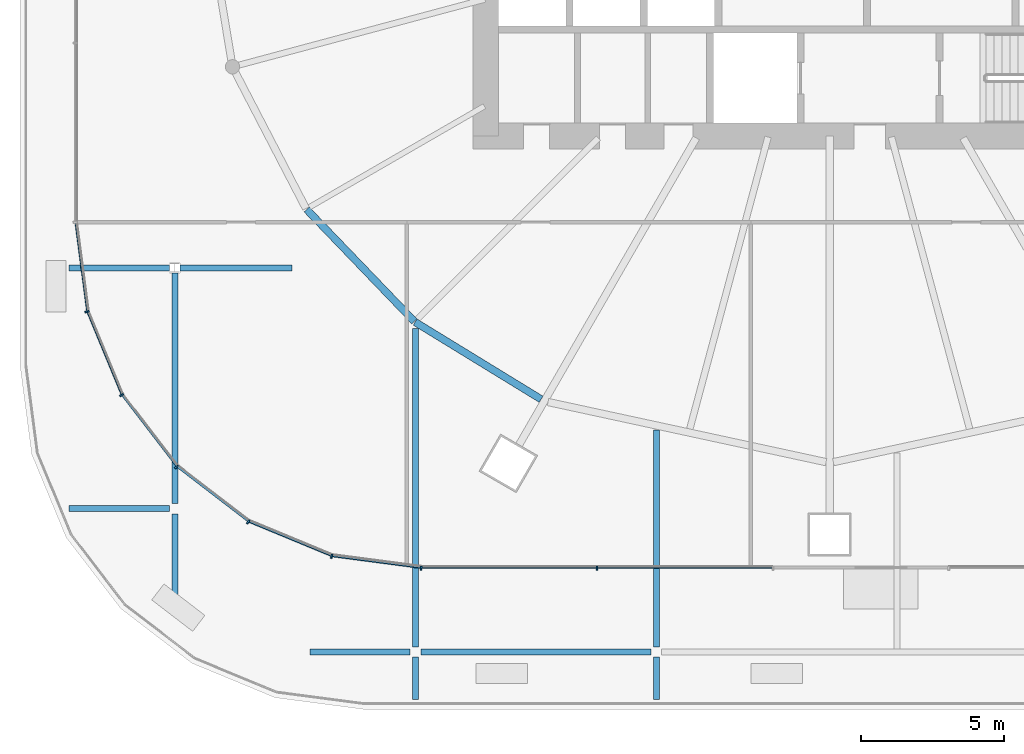
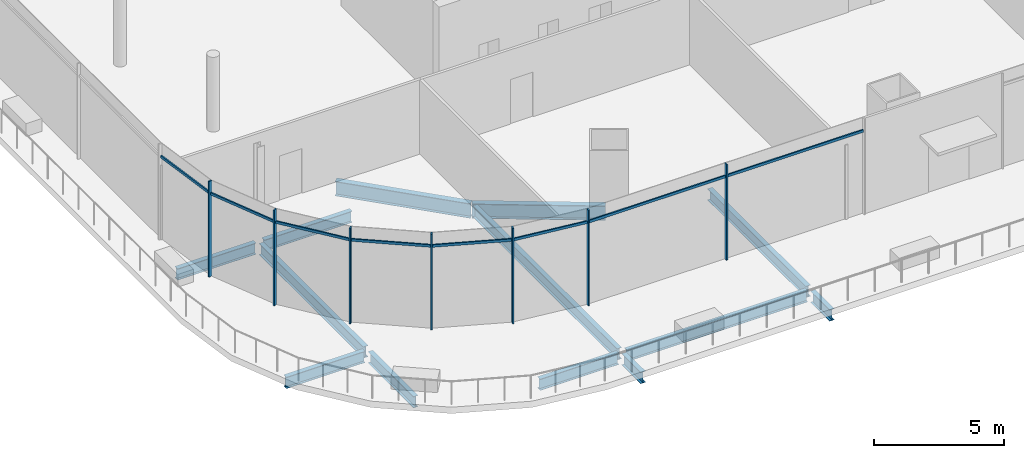
# One storey, part 9 of 49: 15 members, 13 beams, 1 element without a shape of its own.
"""IFC4 building model written with IfcOpenShell, lengths in metres."""

import ifcopenshell
import ifcopenshell.guid

model = None  # the IFC model being written
_history = None  # IfcOwnerHistory: only IFC2X3 demands one
_inside = {}  # id of a spatial element -> (the spatial element, [elements in it])
_under = {}  # id of a project, library or spatial element -> (it, [spatial elements below it])
_declared = {}  # id of a project -> (the project, [libraries it declares])
_typed = {}  # id of a type object -> (the type object, [elements of that type])
_made_of = {}  # id of a material, layer set ... -> (it, [elements and type objects made of it])


def new_model(schema):
    """Start an empty IFC model of exactly this schema.

    Asked for "IFC4X3", IfcOpenShell would pick the latest addendum, in which some entities
    have other attributes; the version numbers below select the first issue.
    IFC2X3 requires an IfcOwnerHistory on every rooted entity: one is made here for all.
    """
    global model, _history
    if schema == "IFC4X3":
        model = ifcopenshell.file(schema_version=(4, 3, 0, 0))
    else:
        model = ifcopenshell.file(schema=schema)
    _inside.clear()
    _under.clear()
    _declared.clear()
    _typed.clear()
    _made_of.clear()
    _history = None
    if model.schema == "IFC2X3":
        org = make("IfcOrganization", Name="unknown")
        user = make(
            "IfcPersonAndOrganization",
            ThePerson=make("IfcPerson", FamilyName="unknown"),
            TheOrganization=org,
        )
        app = make(
            "IfcApplication",
            ApplicationDeveloper=org,
            Version="unknown",
            ApplicationFullName="unknown",
            ApplicationIdentifier="unknown",
        )
        _history = make(
            "IfcOwnerHistory",
            OwningUser=user,
            OwningApplication=app,
            ChangeAction="ADDED",
            CreationDate=0,
        )
    return model


def make(cls, **values):
    """One entity of the class cls with the attributes given. An attribute that is None is left unset."""
    return model.create_entity(
        cls, **{name: value for name, value in values.items() if value is not None}
    )


def rooted(cls, **values):
    """An entity with a GlobalId (a new one), such as an element, a storey or a relation."""
    return make(cls, GlobalId=ifcopenshell.guid.new(), OwnerHistory=_history, **values)


def si_unit(unit_type, name, prefix=None):
    """IfcSIUnit, for example si_unit("LENGTHUNIT", "METRE", prefix="MILLI")."""
    return make("IfcSIUnit", UnitType=unit_type, Prefix=prefix, Name=name)


def assignment(units):
    """IfcUnitAssignment: the units of a project."""
    return None if units is None else make("IfcUnitAssignment", Units=units)


def point(xyz):
    """IfcCartesianPoint."""
    return None if xyz is None else make("IfcCartesianPoint", Coordinates=xyz)


def direction(xyz):
    """IfcDirection."""
    return None if xyz is None else make("IfcDirection", DirectionRatios=xyz)


def frame(location, z_axis=None, x_axis=None):
    """IfcAxis2Placement3D, a coordinate frame: its origin and axes. An axis left out is left unset."""
    return make(
        "IfcAxis2Placement3D",
        Location=point(location),
        Axis=direction(z_axis),
        RefDirection=direction(x_axis),
    )


def frame_2d(location, x_axis=None):
    """IfcAxis2Placement2D, a coordinate frame in the plane: its origin and x axis."""
    return make(
        "IfcAxis2Placement2D", Location=point(location), RefDirection=direction(x_axis)
    )


def origin():
    """The frame at (0, 0, 0) with its axes left unset."""
    return frame((0.0, 0.0, 0.0))


def origin_2d():
    """The frame at (0, 0) in the plane with its x axis left unset."""
    return frame_2d((0.0, 0.0))


def place(relative_to, where):
    """IfcLocalPlacement: puts the frame where relative to a parent placement (None: the world)."""
    return make(
        "IfcLocalPlacement", PlacementRelTo=relative_to, RelativePlacement=where
    )


def context(
    kind, dimensions, precision=None, world=None, true_north=None, identifier=None
):
    """IfcGeometricRepresentationContext, for example the 3D "Model" context."""
    return make(
        "IfcGeometricRepresentationContext",
        ContextIdentifier=identifier,
        ContextType=kind,
        CoordinateSpaceDimension=dimensions,
        Precision=precision,
        WorldCoordinateSystem=world,
        TrueNorth=true_north,
    )


def subcontext(parent, identifier, kind, view, scale=None):
    """IfcGeometricRepresentationSubContext, for example "Body" below "Model"."""
    return make(
        "IfcGeometricRepresentationSubContext",
        ContextIdentifier=identifier,
        ContextType=kind,
        ParentContext=parent,
        TargetScale=scale,
        TargetView=view,
    )


def project(units=None, contexts=None):
    """IfcProject with its units and contexts."""
    return rooted(
        "IfcProject",
        Name="project",
        RepresentationContexts=contexts,
        UnitsInContext=assignment(units),
    )


def spatial(cls, under=None, at=None, **own):
    """A site, building, storey or space (cls), placed at a placement, below another one or the project."""
    s = rooted(cls, ObjectPlacement=at, **own)
    if under is not None:
        _under.setdefault(under.id(), (under, []))[1].append(s)
    return s


def profile(cls, at=None, kind="AREA", **sizes):
    """A parametric profile (cls). Its sizes go by their IFC names, for example OverallWidth=200.0."""
    return make(cls, ProfileType=kind, Position=at, **sizes)


def rectangle(**sizes):
    """IfcRectangleProfileDef."""
    return profile("IfcRectangleProfileDef", **sizes)


def i_section(**sizes):
    """IfcIShapeProfileDef."""
    return profile("IfcIShapeProfileDef", **sizes)


def extrude(swept, where, along, depth):
    """IfcExtrudedAreaSolid: the profile swept, set in the frame where, extruded along a direction by depth."""
    return make(
        "IfcExtrudedAreaSolid",
        SweptArea=swept,
        Position=where,
        ExtrudedDirection=direction(along),
        Depth=depth,
    )


def shape(context_of_items, identifier, shape_type, items):
    """IfcShapeRepresentation: the items that make up one representation, for example the "Body"."""
    return make(
        "IfcShapeRepresentation",
        ContextOfItems=context_of_items,
        RepresentationIdentifier=identifier,
        RepresentationType=shape_type,
        Items=items,
    )


def material(Name=None, Category=None):
    """IfcMaterial."""
    return make("IfcMaterial", Name=Name, Category=Category)


def material_profile(
    of_material, cross_section, Name=None, Category=None, Priority=None
):
    """IfcMaterialProfile: a cross section and its material."""
    return make(
        "IfcMaterialProfile",
        Name=Name,
        Material=of_material,
        Profile=cross_section,
        Priority=Priority,
        Category=Category,
    )


def profile_set(profiles, Name=None, composite=None):
    """IfcMaterialProfileSet."""
    return make(
        "IfcMaterialProfileSet",
        Name=Name,
        MaterialProfiles=profiles,
        CompositeProfile=composite,
    )


def made_of(thing, what):
    """Note that an element or type object is made of a material, layer set ...; save() writes the relation."""
    if what is not None:
        _made_of.setdefault(what.id(), (what, []))[1].append(thing)
    return thing


def type_object(cls, material=None, **own):
    """A type object (cls), such as IfcWallType, which elements share."""
    return made_of(rooted(cls, **own), material)


def element(
    cls,
    number,
    at=None,
    inside=None,
    cuts=None,
    type_object=None,
    material=None,
    context=None,
    identifier="Body",
    shape_type=None,
    held_by="IfcProductDefinitionShape",
    body=None,
    shapes=None,
    **own,
):
    """One element of the class cls, such as IfcWall. Its Tag is "e" and its number.

    at: its placement. inside: the storey or other place that contains it. cuts: it is an
    opening in that element (IfcRelVoidsElement). A single representation is given by context,
    identifier, shape_type and body (its items); several are given by shapes. held_by: the class
    of the entity that holds the representations. save() writes the other relations.
    """
    e = rooted(cls, Tag="e%d" % number, ObjectPlacement=at, **own)
    if body is not None:
        shapes = [shape(context, identifier, shape_type, body)]
    if shapes is not None:
        e.Representation = make(held_by, Representations=shapes)
    if inside is not None:
        _inside.setdefault(inside.id(), (inside, []))[1].append(e)
    if cuts is not None:
        rooted(
            "IfcRelVoidsElement", RelatingBuildingElement=cuts, RelatedOpeningElement=e
        )
    if type_object is not None:
        _typed.setdefault(type_object.id(), (type_object, []))[1].append(e)
    return made_of(e, material)


def aggregate(whole, parts):
    """IfcRelAggregates: a whole, such as a stair, and the parts it consists of."""
    return rooted("IfcRelAggregates", RelatingObject=whole, RelatedObjects=parts)


def save(model, path):
    """Write the relations noted so far, then the file.

    IfcRelAggregates (storeys below a building ...), IfcRelContainedInSpatialStructure (elements
    in a storey), IfcRelDefinesByType, IfcRelAssociatesMaterial and IfcRelDeclares: one each for
    every whole, place, type object, material and project.
    """
    for whole, parts in _under.values():
        aggregate(whole, parts)
    for where, things in _inside.values():
        rooted(
            "IfcRelContainedInSpatialStructure",
            RelatedElements=things,
            RelatingStructure=where,
        )
    for kind, things in _typed.values():
        rooted("IfcRelDefinesByType", RelatedObjects=things, RelatingType=kind)
    for what, things in _made_of.values():
        rooted("IfcRelAssociatesMaterial", RelatedObjects=things, RelatingMaterial=what)
    for by, libraries in _declared.values():
        rooted("IfcRelDeclares", RelatingContext=by, RelatedDefinitions=libraries)
    model.write(path)


model = new_model("IFC4")

# Units and contexts
model_context = context("Model", 3, precision=1e-05, world=origin(), true_north=direction((0.0, 1.0)))
body_context = subcontext(model_context, "Body", "Model", "MODEL_VIEW")
ifc_project = project(units=[si_unit("LENGTHUNIT", "METRE"), si_unit("AREAUNIT", "SQUARE_METRE"), si_unit("VOLUMEUNIT", "CUBIC_METRE"), si_unit("PLANEANGLEUNIT", "RADIAN"), si_unit("MASSUNIT", "GRAM", prefix="KILO")], contexts=[model_context])

# Site, building, storey
site_placement = place(None, origin())
site = spatial("IfcSite", under=ifc_project, at=site_placement, CompositionType="ELEMENT")
building_placement = place(site_placement, origin())
building = spatial("IfcBuilding", under=site, at=building_placement, Name="Rimbun Link Towers", CompositionType="ELEMENT")
storey_placement = place(building_placement, frame((0.0, 0.0, 25.5)))
storey = spatial("IfcBuildingStorey", under=building, at=storey_placement, Name="L05", CompositionType="ELEMENT", Elevation=25.5)

# Curtain wall, members
ifc_material_1 = material(Name="Aluminium 6063-T6 and low-iron glass", Category="aluminium")
curtain_wall_type = type_object("IfcCurtainWallType", Name="CW3 podium shopfront", PredefinedType="NOTDEFINED", material=ifc_material_1)
curtain_wall_placement = place(storey_placement, origin())
curtain_wall = element("IfcCurtainWall", 1, at=curtain_wall_placement, inside=storey, type_object=curtain_wall_type, Name="CW3 L05 PD", PredefinedType="NOTDEFINED")
ifc_material_2 = material(Name="Aluminium 6063-T6", Category="aluminium")
ifc_material_profile_1 = material_profile(ifc_material_2, rectangle(XDim=0.14990234375, YDim=0.06005859375, at=origin_2d()), Name="MULLION 60X150")
ifc_profile_set_1 = profile_set([ifc_material_profile_1], Name="Aluminium 6063-T6")
member_type_1 = type_object("IfcMemberType", Name="CW3 mullion 60X150", PredefinedType="MULLION", material=ifc_profile_set_1)
member_1_placement = place(storey_placement, frame((-57.66357421875, -14.125244140625, 0.0), z_axis=(0.0, 0.0, 1.0), x_axis=(-0.965925910978, -0.258818729038, 0.0)))
member_1 = element("IfcMember", 2, at=member_1_placement, type_object=member_type_1, Name="CW3 mullion", PredefinedType="MULLION", context=body_context, shape_type="SweptSolid", body=[
    extrude(rectangle(XDim=0.14990234375, YDim=0.06005859375, at=origin_2d()), origin(), (0.0, 0.0, 1.0), 4.5),
])
member_2_placement = place(storey_placement, frame((-56.457275390625, -17.03759765625, 0.0), z_axis=(0.0, 0.0, 1.0), x_axis=(-0.866029040155, -0.499993701568, 0.0)))
member_2 = element("IfcMember", 3, at=member_2_placement, type_object=member_type_1, Name="CW3 mullion", PredefinedType="MULLION", context=body_context, shape_type="SweptSolid", body=[
    extrude(rectangle(XDim=0.14990234375, YDim=0.06005859375, at=origin_2d()), origin(), (0.0, 0.0, 1.0), 4.5),
])
member_3_placement = place(storey_placement, frame((-54.538330078125, -19.538330078125, 0.0), z_axis=(0.0, 0.0, 1.0), x_axis=(-0.707106781187, -0.707106781187, 0.0)))
member_3 = element("IfcMember", 4, at=member_3_placement, type_object=member_type_1, Name="CW3 mullion", PredefinedType="MULLION", context=body_context, shape_type="SweptSolid", body=[
    extrude(rectangle(XDim=0.14990234375, YDim=0.06005859375, at=origin_2d()), origin(), (0.0, 0.0, 1.0), 4.5),
])
member_4_placement = place(storey_placement, frame((-52.03759765625, -21.457275390625, 0.0), z_axis=(0.0, 0.0, 1.0), x_axis=(-0.499993701568, -0.866029040155, 0.0)))
member_4 = element("IfcMember", 5, at=member_4_placement, type_object=member_type_1, Name="CW3 mullion", PredefinedType="MULLION", context=body_context, shape_type="SweptSolid", body=[
    extrude(rectangle(XDim=0.14990234375, YDim=0.06005859375, at=origin_2d()), origin(), (0.0, 0.0, 1.0), 4.5),
])
member_5_placement = place(storey_placement, frame((-49.125244140625, -22.66357421875, 0.0), z_axis=(0.0, 0.0, 1.0), x_axis=(-0.258818729038, -0.965925910978, 0.0)))
member_5 = element("IfcMember", 6, at=member_5_placement, type_object=member_type_1, Name="CW3 mullion", PredefinedType="MULLION", context=body_context, shape_type="SweptSolid", body=[
    extrude(rectangle(XDim=0.14990234375, YDim=0.06005859375, at=origin_2d()), origin(), (0.0, 0.0, 1.0), 4.5),
])
member_6_placement = place(storey_placement, frame((-46.0048828125, -23.074951171875, 0.0), z_axis=(0.0, 0.0, 1.0), x_axis=(-0.065405288299, -0.997858781723, 0.0)))
member_6 = element("IfcMember", 7, at=member_6_placement, type_object=member_type_1, Name="CW3 mullion", PredefinedType="MULLION", context=body_context, shape_type="SweptSolid", body=[
    extrude(rectangle(XDim=0.14990234375, YDim=0.06005859375, at=origin_2d()), origin(), (0.0, 0.0, 1.0), 4.5),
])
member_7_placement = place(storey_placement, frame((-39.86669921875, -23.074951171875, 0.0), z_axis=(0.0, 0.0, 1.0), x_axis=(0.0, -1.0, 0.0)))
member_7 = element("IfcMember", 8, at=member_7_placement, type_object=member_type_1, Name="CW3 mullion", PredefinedType="MULLION", context=body_context, shape_type="SweptSolid", body=[
    extrude(rectangle(XDim=0.14990234375, YDim=0.06005859375, at=origin_2d()), origin(), (0.0, 0.0, 1.0), 4.5),
])
ifc_material_3 = material(Name="Aluminium 6063-T6", Category="aluminium")
ifc_material_profile_2 = material_profile(ifc_material_3, rectangle(XDim=0.06005859375, YDim=0.1201171875, at=origin_2d()), Name="TRANSOM 60X120")
ifc_profile_set_2 = profile_set([ifc_material_profile_2], Name="Aluminium 6063-T6")
member_type_2 = type_object("IfcMemberType", Name="CW3 transom 60X120", PredefinedType="USERDEFINED", material=ifc_profile_set_2)
member_8_placement = place(storey_placement, frame((-57.6484375, -14.0830078125, 3.89990234375), z_axis=(-0.130555231638, 0.991441037829, 0.0), x_axis=(-0.991441037829, -0.130555231638, 0.0)))
member_8 = element("IfcMember", 9, at=member_8_placement, type_object=member_type_2, Name="CW3 transom", ObjectType="TRANSOM", PredefinedType="USERDEFINED", context=body_context, shape_type="SweptSolid", body=[
    extrude(rectangle(XDim=0.06005859375, YDim=0.1201171875, at=origin_2d()), origin(), (0.0, 0.0, 1.0), 3.072509765625),
])
member_9_placement = place(storey_placement, frame((-56.45361328125, -16.992919921875, 3.89990234375), z_axis=(-0.382679289053, 0.923881248716, 0.0), x_axis=(-0.923881248716, -0.382679289053, 0.0)))
member_9 = element("IfcMember", 10, at=member_9_placement, type_object=member_type_2, Name="CW3 transom", ObjectType="TRANSOM", PredefinedType="USERDEFINED", context=body_context, shape_type="SweptSolid", body=[
    extrude(rectangle(XDim=0.06005859375, YDim=0.1201171875, at=origin_2d()), origin(), (0.0, 0.0, 1.0), 3.072509765625),
])
member_10_placement = place(storey_placement, frame((-54.54638671875, -19.494384765625, 3.89990234375), z_axis=(-0.608773432314, 0.793344129687, 0.0), x_axis=(-0.793344129687, -0.608773432314, 0.0)))
member_10 = element("IfcMember", 11, at=member_10_placement, type_object=member_type_2, Name="CW3 transom", ObjectType="TRANSOM", PredefinedType="USERDEFINED", context=body_context, shape_type="SweptSolid", body=[
    extrude(rectangle(XDim=0.06005859375, YDim=0.1201171875, at=origin_2d()), origin(), (0.0, 0.0, 1.0), 3.07275390625),
])
member_11_placement = place(storey_placement, frame((-52.056640625, -21.4169921875, 3.89990234375), z_axis=(-0.793344129687, 0.608773432314, 0.0), x_axis=(-0.608773432314, -0.793344129687, 0.0)))
member_11 = element("IfcMember", 12, at=member_11_placement, type_object=member_type_2, Name="CW3 transom", ObjectType="TRANSOM", PredefinedType="USERDEFINED", context=body_context, shape_type="SweptSolid", body=[
    extrude(rectangle(XDim=0.06005859375, YDim=0.1201171875, at=origin_2d()), origin(), (0.0, 0.0, 1.0), 3.07275390625),
])
member_12_placement = place(storey_placement, frame((-49.154296875, -22.62939453125, 3.89990234375), z_axis=(-0.923881248716, 0.382679289053, 0.0), x_axis=(-0.382679289053, -0.923881248716, 0.0)))
member_12 = element("IfcMember", 13, at=member_12_placement, type_object=member_type_2, Name="CW3 transom", ObjectType="TRANSOM", PredefinedType="USERDEFINED", context=body_context, shape_type="SweptSolid", body=[
    extrude(rectangle(XDim=0.06005859375, YDim=0.1201171875, at=origin_2d()), origin(), (0.0, 0.0, 1.0), 3.072509765625),
])
member_13_placement = place(storey_placement, frame((-46.036865234375, -23.049560546875, 3.89990234375), z_axis=(-0.991441037829, 0.130555231638, 0.0), x_axis=(-0.130555231638, -0.991441037829, 0.0)))
member_13 = element("IfcMember", 14, at=member_13_placement, type_object=member_type_2, Name="CW3 transom", ObjectType="TRANSOM", PredefinedType="USERDEFINED", context=body_context, shape_type="SweptSolid", body=[
    extrude(rectangle(XDim=0.06005859375, YDim=0.1201171875, at=origin_2d()), origin(), (0.0, 0.0, 1.0), 3.072509765625),
])
member_14_placement = place(storey_placement, frame((-39.896728515625, -23.053955078125, 3.89990234375), z_axis=(-1.0, 0.0, 0.0), x_axis=(0.0, -1.0, 0.0)))
member_14 = element("IfcMember", 15, at=member_14_placement, type_object=member_type_2, Name="CW3 transom", ObjectType="TRANSOM", PredefinedType="USERDEFINED", context=body_context, shape_type="SweptSolid", body=[
    extrude(rectangle(XDim=0.06005859375, YDim=0.1201171875, at=origin_2d()), origin(), (0.0, 0.0, 1.0), 6.0732421875),
])
member_15_placement = place(storey_placement, frame((-33.763427734375, -23.053955078125, 3.89990234375), z_axis=(-1.0, 0.0, 0.0), x_axis=(0.0, -1.0, 0.0)))
member_15 = element("IfcMember", 16, at=member_15_placement, type_object=member_type_2, Name="CW3 transom", ObjectType="TRANSOM", PredefinedType="USERDEFINED", context=body_context, shape_type="SweptSolid", body=[
    extrude(rectangle(XDim=0.06005859375, YDim=0.1201171875, at=origin_2d()), origin(), (0.0, 0.0, 1.0), 6.0732421875),
])
aggregate(curtain_wall, [member_1, member_2, member_3, member_4, member_5, member_6, member_7, member_8, member_9, member_10, member_11, member_12, member_13, member_14, member_15])

# Beams
ifc_material_4 = material(Name="Steel S355J2", Category="steel")
ifc_material_profile_3 = material_profile(ifc_material_4, i_section(OverallWidth=0.209228515625, OverallDepth=0.533203125, WebThickness=0.010009765625, FlangeThickness=0.015625, at=origin_2d()), Name="UB 533x210x92")
ifc_profile_set_3 = profile_set([ifc_material_profile_3], Name="Steel S355J2")
beam_type_1 = type_object("IfcBeamType", Name="UB 533x210x92", PredefinedType="BEAM", material=ifc_profile_set_3)
beam_1_placement = place(storey_placement, frame((-49.88525390625, -26.0, -0.56640625), z_axis=(1.0, 0.0, 0.0), x_axis=(0.0, 1.0, 0.0)))
element("IfcBeam", 17, at=beam_1_placement, inside=storey, type_object=beam_type_1, Name="Grid beam L05 -26.0", PredefinedType="BEAM", context=body_context, shape_type="SweptSolid", body=[
    extrude(i_section(OverallWidth=0.209228515625, OverallDepth=0.533203125, WebThickness=0.010009765625, FlangeThickness=0.015625, at=origin_2d()), origin(), (0.0, 0.0, 1.0), 3.5),
])
beam_2_placement = place(storey_placement, frame((-46.014892578125, -26.0, -0.56640625), z_axis=(1.0, 0.0, 0.0), x_axis=(0.0, 1.0, 0.0)))
element("IfcBeam", 18, at=beam_2_placement, inside=storey, type_object=beam_type_1, Name="Grid beam L05 -26.0", PredefinedType="BEAM", context=body_context, shape_type="SweptSolid", body=[
    extrude(i_section(OverallWidth=0.209228515625, OverallDepth=0.533203125, WebThickness=0.010009765625, FlangeThickness=0.015625, at=origin_2d()), origin(), (0.0, 0.0, 1.0), 8.02978515625),
])
for number, where, z_axis, x_axis, name in (
    (19, (-58.285400390625, -21.0, -0.56640625), (1.0, 0.0, 0.0), (0.0, 1.0, 0.0), "Grid beam L05 -21.0"),
    (20, (-58.285400390625, -12.60009765625, -0.56640625), (1.0, 0.0, 0.0), (0.0, 1.0, 0.0), "Grid beam L05 -12.6"),
):
    element("IfcBeam", number, at=place(storey_placement, frame(where, z_axis=z_axis, x_axis=x_axis)), inside=storey, type_object=beam_type_1, Name=name, PredefinedType="BEAM", context=body_context, shape_type="SweptSolid", body=[
        extrude(i_section(OverallWidth=0.209228515625, OverallDepth=0.533203125, WebThickness=0.010009765625, FlangeThickness=0.015625, at=origin_2d()), origin(), (0.0, 0.0, 1.0), 3.5),
    ])
beam_3_placement = place(storey_placement, frame((-54.414794921875, -12.60009765625, -0.56640625), z_axis=(1.0, 0.0, 0.0), x_axis=(0.0, 1.0, 0.0)))
element("IfcBeam", 21, at=beam_3_placement, inside=storey, type_object=beam_type_1, Name="Grid beam L05 -12.6", PredefinedType="BEAM", context=body_context, shape_type="SweptSolid", body=[
    extrude(i_section(OverallWidth=0.209228515625, OverallDepth=0.533203125, WebThickness=0.010009765625, FlangeThickness=0.015625, at=origin_2d()), origin(), (0.0, 0.0, 1.0), 3.900146484375),
])
beam_4_placement = place(storey_placement, frame((-54.60009765625, -24.680908203125, -0.56640625), z_axis=(0.0, 1.0, 0.0), x_axis=(-1.0, 0.0, 0.0)))
element("IfcBeam", 22, at=beam_4_placement, inside=storey, type_object=beam_type_1, Name="Grid beam L05 -54.6", PredefinedType="BEAM", context=body_context, shape_type="SweptSolid", body=[
    extrude(i_section(OverallWidth=0.209228515625, OverallDepth=0.533203125, WebThickness=0.010009765625, FlangeThickness=0.015625, at=origin_2d()), origin(), (0.0, 0.0, 1.0), 3.5),
])
beam_5_placement = place(storey_placement, frame((-54.60009765625, -20.819091796875, -0.56640625), z_axis=(0.0, 1.0, 0.0), x_axis=(-1.0, 0.0, 0.0)))
element("IfcBeam", 23, at=beam_5_placement, inside=storey, type_object=beam_type_1, Name="Grid beam L05 -54.6", PredefinedType="BEAM", context=body_context, shape_type="SweptSolid", body=[
    extrude(i_section(OverallWidth=0.209228515625, OverallDepth=0.533203125, WebThickness=0.010009765625, FlangeThickness=0.015625, at=origin_2d()), origin(), (0.0, 0.0, 1.0), 8.0380859375),
])
beam_6_placement = place(storey_placement, frame((-46.199951171875, -27.64892578125, -0.56640625), z_axis=(0.0, 1.0, 0.0), x_axis=(-1.0, 0.0, 0.0)))
element("IfcBeam", 24, at=beam_6_placement, inside=storey, type_object=beam_type_1, Name="Grid beam L05 -46.2", PredefinedType="BEAM", context=body_context, shape_type="SweptSolid", body=[
    extrude(i_section(OverallWidth=0.209228515625, OverallDepth=0.533203125, WebThickness=0.010009765625, FlangeThickness=0.015625, at=origin_2d()), origin(), (0.0, 0.0, 1.0), 1.468017578125),
])
beam_7_placement = place(storey_placement, frame((-46.199951171875, -25.819091796875, -0.56640625), z_axis=(0.0, 1.0, 0.0), x_axis=(-1.0, 0.0, 0.0)))
element("IfcBeam", 25, at=beam_7_placement, inside=storey, type_object=beam_type_1, Name="Grid beam L05 -46.2", PredefinedType="BEAM", context=body_context, shape_type="SweptSolid", body=[
    extrude(i_section(OverallWidth=0.209228515625, OverallDepth=0.533203125, WebThickness=0.010009765625, FlangeThickness=0.015625, at=origin_2d()), origin(), (0.0, 0.0, 1.0), 11.1083984375),
])
beam_8_placement = place(storey_placement, frame((-37.800048828125, -27.64892578125, -0.56640625), z_axis=(0.0, 1.0, 0.0), x_axis=(-1.0, 0.0, 0.0)))
element("IfcBeam", 26, at=beam_8_placement, inside=storey, type_object=beam_type_1, Name="Grid beam L05 -37.8", PredefinedType="BEAM", context=body_context, shape_type="SweptSolid", body=[
    extrude(i_section(OverallWidth=0.209228515625, OverallDepth=0.533203125, WebThickness=0.010009765625, FlangeThickness=0.015625, at=origin_2d()), origin(), (0.0, 0.0, 1.0), 1.468017578125),
])
beam_9_placement = place(storey_placement, frame((-37.800048828125, -25.819091796875, -0.56640625), z_axis=(0.0, 1.0, 0.0), x_axis=(-1.0, 0.0, 0.0)))
element("IfcBeam", 27, at=beam_9_placement, inside=storey, type_object=beam_type_1, Name="Grid beam L05 -37.8", PredefinedType="BEAM", context=body_context, shape_type="SweptSolid", body=[
    extrude(i_section(OverallWidth=0.209228515625, OverallDepth=0.533203125, WebThickness=0.010009765625, FlangeThickness=0.015625, at=origin_2d()), origin(), (0.0, 0.0, 1.0), 7.571533203125),
])
ifc_material_5 = material(Name="Steel S355J2", Category="steel")
ifc_material_profile_4 = material_profile(ifc_material_5, i_section(OverallWidth=0.253662109375, OverallDepth=0.68359375, WebThickness=0.012451171875, FlangeThickness=0.01904296875, at=origin_2d()), Name="UB 686x254x140")
ifc_profile_set_4 = profile_set([ifc_material_profile_4], Name="Steel S355J2")
beam_type_2 = type_object("IfcBeamType", Name="UB 686x254x140", PredefinedType="BEAM", material=ifc_profile_set_4)
beam_10_placement = place(storey_placement, frame((-49.99853515625, -10.557373046875, -0.641845703125), z_axis=(0.692988130851, -0.720948992995, 0.0), x_axis=(0.720948992995, 0.692988130851, 0.0)))
element("IfcBeam", 28, at=beam_10_placement, inside=storey, type_object=beam_type_2, Name="Edge beam T1 L05 14", PredefinedType="BEAM", context=body_context, shape_type="SweptSolid", body=[
    extrude(i_section(OverallWidth=0.253662109375, OverallDepth=0.68359375, WebThickness=0.012451171875, FlangeThickness=0.01904296875, at=origin_2d()), origin(), (0.0, 0.0, 1.0), 5.42236328125),
])
beam_11_placement = place(storey_placement, frame((-46.21435546875, -14.488037109375, -0.641845703125), z_axis=(0.852707458773, -0.522388734328, 0.0), x_axis=(0.522388734328, 0.852707458773, 0.0)))
element("IfcBeam", 29, at=beam_11_placement, inside=storey, type_object=beam_type_2, Name="Edge beam T1 L05 15", PredefinedType="BEAM", context=body_context, shape_type="SweptSolid", body=[
    extrude(i_section(OverallWidth=0.253662109375, OverallDepth=0.68359375, WebThickness=0.012451171875, FlangeThickness=0.01904296875, at=origin_2d()), origin(), (0.0, 0.0, 1.0), 5.153076171875),
])

save(model, "model.ifc")
